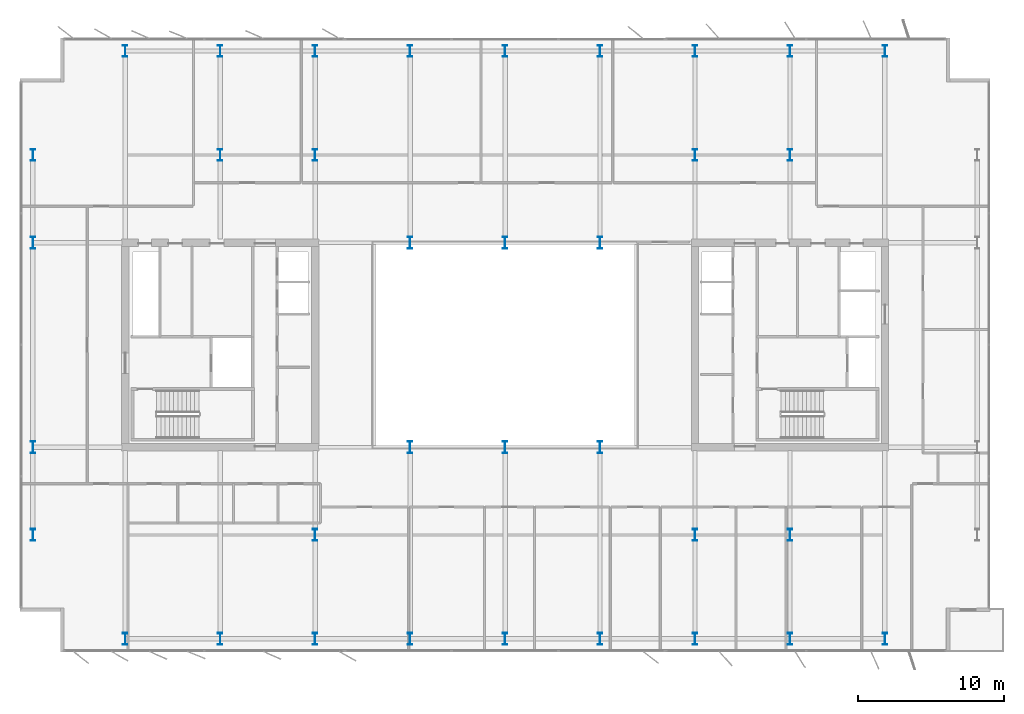
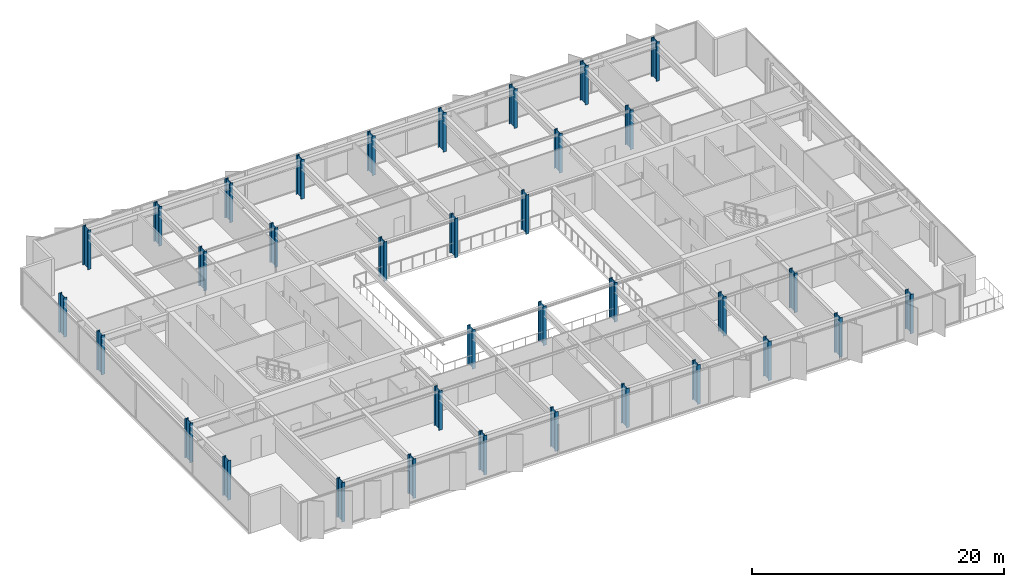
# One storey, part 1 of 24: 35 columns.
"""IFC4 building model written with IfcOpenShell, lengths in metres."""

from ifc_helpers import new_model, si_unit, direction, frame, origin, origin_2d, place, context, subcontext, project, spatial, i_section, extrude, material, material_profile, profile_set, type_object, element, save


model = new_model("IFC4")

# Units and contexts
model_context = context("Model", 3, precision=1e-05, world=origin(), true_north=direction((0.0, 1.0)))
body_context = subcontext(model_context, "Body", "Model", "MODEL_VIEW")
ifc_project = project(units=[si_unit("LENGTHUNIT", "METRE"), si_unit("AREAUNIT", "SQUARE_METRE"), si_unit("VOLUMEUNIT", "CUBIC_METRE"), si_unit("PLANEANGLEUNIT", "RADIAN"), si_unit("MASSUNIT", "GRAM", prefix="KILO")], contexts=[model_context])

# Site, building, storey
site_placement = place(None, origin())
site = spatial("IfcSite", under=ifc_project, at=site_placement, CompositionType="ELEMENT")
building_placement = place(site_placement, origin())
building = spatial("IfcBuilding", under=site, at=building_placement, Name="Putna Gate Headquarters", CompositionType="ELEMENT")
storey_placement = place(building_placement, frame((0.0, 0.0, 240.39990234375)))
storey = spatial("IfcBuildingStorey", under=building, at=storey_placement, Name="L60", CompositionType="ELEMENT", Elevation=240.39990234375)

# Columns
ifc_material = material(Name="Steel S460M", Category="steel")
ifc_material_profile_1 = material_profile(ifc_material, i_section(OverallWidth=0.302978515625, OverallDepth=0.81396484375, WebThickness=0.02099609375, FlangeThickness=0.0400390625, at=origin_2d()), Name="Steel S460M")
ifc_profile_set_1 = profile_set([ifc_material_profile_1], Name="Steel S460M")
column_type_1 = type_object("IfcColumnType", Name="COL-STL-HEM800-EXT", PredefinedType="COLUMN", material=ifc_profile_set_1)
for number, where, z_axis, x_axis, name in (
    (1, (13.0, 5.8798828125, 0.0), (0.0, 0.0, 1.0), (1.0, 0.0, 0.0), "L60 Column CP-S13"),
    (2, (13.0, 46.1201171875, 0.0), (0.0, 0.0, 1.0), (1.0, 0.0, 0.0), "L60 Column CP-N13"),
    (3, (19.5, 5.8798828125, 0.0), (0.0, 0.0, 1.0), (1.0, 0.0, 0.0), "L60 Column CP-S19"),
    (4, (19.5, 46.1201171875, 0.0), (0.0, 0.0, 1.0), (1.0, 0.0, 0.0), "L60 Column CP-N19"),
    (5, (26.0, 5.8798828125, 0.0), (0.0, 0.0, 1.0), (1.0, 0.0, 0.0), "L60 Column CP-S26"),
    (6, (26.0, 46.1201171875, 0.0), (0.0, 0.0, 1.0), (1.0, 0.0, 0.0), "L60 Column CP-N26"),
    (7, (32.5, 5.8798828125, 0.0), (0.0, 0.0, 1.0), (1.0, 0.0, 0.0), "L60 Column CP-S32"),
    (8, (32.5, 46.1201171875, 0.0), (0.0, 0.0, 1.0), (1.0, 0.0, 0.0), "L60 Column CP-N32"),
    (9, (39.0, 5.8798828125, 0.0), (0.0, 0.0, 1.0), (1.0, 0.0, 0.0), "L60 Column CP-S39"),
    (10, (39.0, 46.1201171875, 0.0), (0.0, 0.0, 1.0), (1.0, 0.0, 0.0), "L60 Column CP-N39"),
    (11, (45.5, 5.8798828125, 0.0), (0.0, 0.0, 1.0), (1.0, 0.0, 0.0), "L60 Column CP-S45"),
    (12, (45.5, 46.1201171875, 0.0), (0.0, 0.0, 1.0), (1.0, 0.0, 0.0), "L60 Column CP-N45"),
    (13, (52.0, 5.8798828125, 0.0), (0.0, 0.0, 1.0), (1.0, 0.0, 0.0), "L60 Column CP-S52"),
    (14, (52.0, 46.1201171875, 0.0), (0.0, 0.0, 1.0), (1.0, 0.0, 0.0), "L60 Column CP-N52"),
    (15, (58.5, 5.8798828125, 0.0), (0.0, 0.0, 1.0), (1.0, 0.0, 0.0), "L60 Column CP-S58"),
    (16, (58.5, 46.1201171875, 0.0), (0.0, 0.0, 1.0), (1.0, 0.0, 0.0), "L60 Column CP-N58"),
    (17, (65.0, 5.8798828125, 0.0), (0.0, 0.0, 1.0), (1.0, 0.0, 0.0), "L60 Column CP-S65"),
    (18, (65.0, 46.1201171875, 0.0), (0.0, 0.0, 1.0), (1.0, 0.0, 0.0), "L60 Column CP-N65"),
    (19, (6.679931640625, 13.0, 0.0), (0.0, 0.0, 1.0), (1.0, 0.0, 0.0), "L60 Column CP-W13"),
    (20, (6.679931640625, 19.0, 0.0), (0.0, 0.0, 1.0), (1.0, 0.0, 0.0), "L60 Column CP-W19"),
    (21, (6.679931640625, 33.0, 0.0), (0.0, 0.0, 1.0), (1.0, 0.0, 0.0), "L60 Column CP-W33"),
    (22, (6.679931640625, 39.0, 0.0), (0.0, 0.0, 1.0), (1.0, 0.0, 0.0), "L60 Column CP-W39"),
):
    element("IfcColumn", number, at=place(storey_placement, frame(where, z_axis=z_axis, x_axis=x_axis)), inside=storey, type_object=column_type_1, Name=name, PredefinedType="COLUMN", context=body_context, shape_type="SweptSolid", body=[
        extrude(i_section(OverallWidth=0.302978515625, OverallDepth=0.81396484375, WebThickness=0.02099609375, FlangeThickness=0.0400390625, at=origin_2d()), origin(), (0.0, 0.0, 1.0), 3.800048828125),
    ])
ifc_material_profile_2 = material_profile(ifc_material, i_section(OverallWidth=0.302978515625, OverallDepth=0.81396484375, WebThickness=0.02099609375, FlangeThickness=0.0400390625, at=origin_2d()), Name="Steel S460M")
ifc_profile_set_2 = profile_set([ifc_material_profile_2], Name="Steel S460M")
column_type_2 = type_object("IfcColumnType", Name="COL-STL-HEM800-INT", PredefinedType="COLUMN", material=ifc_profile_set_2)
for number, where, z_axis, x_axis, name in (
    (23, (19.5, 39.0, 0.0), (0.0, 0.0, 1.0), (1.0, 0.0, 0.0), "L60 Column CSI-WN"),
    (24, (58.5, 13.0, 0.0), (0.0, 0.0, 1.0), (1.0, 0.0, 0.0), "L60 Column CSI-ES"),
    (25, (58.5, 39.0, 0.0), (0.0, 0.0, 1.0), (1.0, 0.0, 0.0), "L60 Column CSI-EN"),
    (26, (32.5, 19.0, 0.0), (0.0, 0.0, 1.0), (1.0, 0.0, 0.0), "L60 Column CAI-S32"),
    (27, (32.5, 33.0, 0.0), (0.0, 0.0, 1.0), (1.0, 0.0, 0.0), "L60 Column CAI-N32"),
    (28, (39.0, 19.0, 0.0), (0.0, 0.0, 1.0), (1.0, 0.0, 0.0), "L60 Column CAI-S39"),
    (29, (39.0, 33.0, 0.0), (0.0, 0.0, 1.0), (1.0, 0.0, 0.0), "L60 Column CAI-N39"),
    (30, (45.5, 19.0, 0.0), (0.0, 0.0, 1.0), (1.0, 0.0, 0.0), "L60 Column CAI-S45"),
    (31, (45.5, 33.0, 0.0), (0.0, 0.0, 1.0), (1.0, 0.0, 0.0), "L60 Column CAI-N45"),
    (32, (26.0, 13.0, 0.0), (0.0, 0.0, 1.0), (1.0, 0.0, 0.0), "L60 Column CAP-WS"),
    (33, (26.0, 39.0, 0.0), (0.0, 0.0, 1.0), (1.0, 0.0, 0.0), "L60 Column CAP-WN"),
    (34, (52.0, 13.0, 0.0), (0.0, 0.0, 1.0), (1.0, 0.0, 0.0), "L60 Column CAP-ES"),
    (35, (52.0, 39.0, 0.0), (0.0, 0.0, 1.0), (1.0, 0.0, 0.0), "L60 Column CAP-EN"),
):
    element("IfcColumn", number, at=place(storey_placement, frame(where, z_axis=z_axis, x_axis=x_axis)), inside=storey, type_object=column_type_2, Name=name, PredefinedType="COLUMN", context=body_context, shape_type="SweptSolid", body=[
        extrude(i_section(OverallWidth=0.302978515625, OverallDepth=0.81396484375, WebThickness=0.02099609375, FlangeThickness=0.0400390625, at=origin_2d()), origin(), (0.0, 0.0, 1.0), 3.800048828125),
    ])

save(model, "model.ifc")
